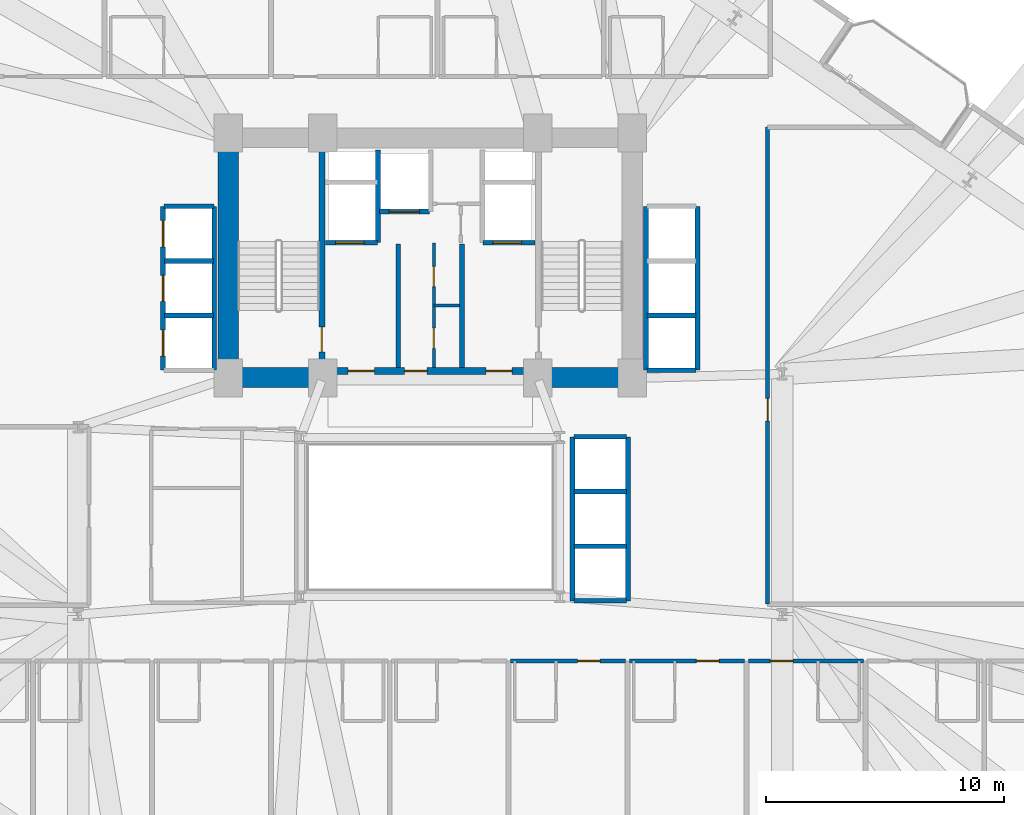
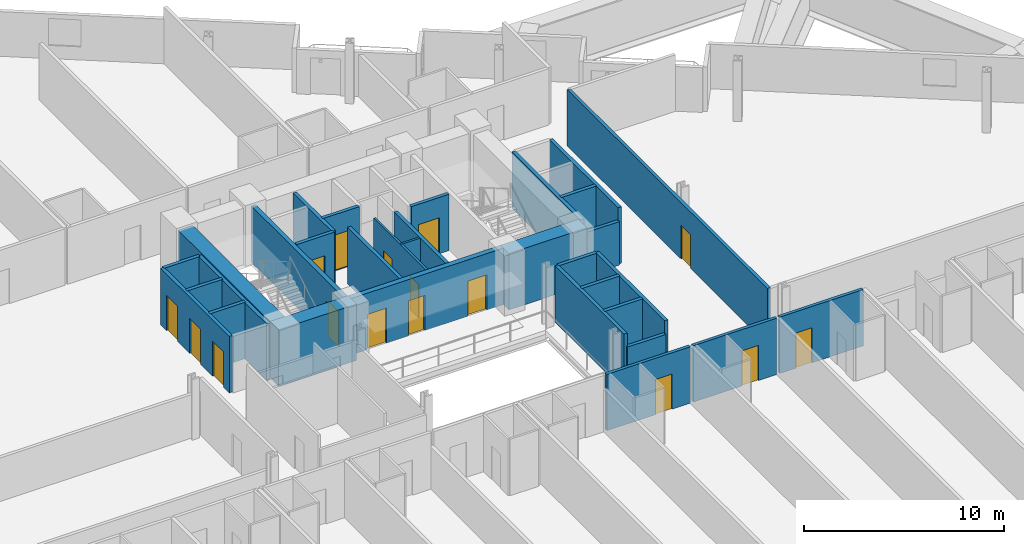
# One storey, part 20 of 26: 32 walls, 16 doors, 16 openings.
"""IFC4 building model written with IfcOpenShell, lengths in metres."""

import ifcopenshell
import ifcopenshell.guid

model = None  # the IFC model being written
_history = None  # IfcOwnerHistory: only IFC2X3 demands one
_inside = {}  # id of a spatial element -> (the spatial element, [elements in it])
_under = {}  # id of a project, library or spatial element -> (it, [spatial elements below it])
_declared = {}  # id of a project -> (the project, [libraries it declares])
_typed = {}  # id of a type object -> (the type object, [elements of that type])
_made_of = {}  # id of a material, layer set ... -> (it, [elements and type objects made of it])


def new_model(schema):
    """Start an empty IFC model of exactly this schema.

    Asked for "IFC4X3", IfcOpenShell would pick the latest addendum, in which some entities
    have other attributes; the version numbers below select the first issue.
    IFC2X3 requires an IfcOwnerHistory on every rooted entity: one is made here for all.
    """
    global model, _history
    if schema == "IFC4X3":
        model = ifcopenshell.file(schema_version=(4, 3, 0, 0))
    else:
        model = ifcopenshell.file(schema=schema)
    _inside.clear()
    _under.clear()
    _declared.clear()
    _typed.clear()
    _made_of.clear()
    _history = None
    if model.schema == "IFC2X3":
        org = make("IfcOrganization", Name="unknown")
        user = make(
            "IfcPersonAndOrganization",
            ThePerson=make("IfcPerson", FamilyName="unknown"),
            TheOrganization=org,
        )
        app = make(
            "IfcApplication",
            ApplicationDeveloper=org,
            Version="unknown",
            ApplicationFullName="unknown",
            ApplicationIdentifier="unknown",
        )
        _history = make(
            "IfcOwnerHistory",
            OwningUser=user,
            OwningApplication=app,
            ChangeAction="ADDED",
            CreationDate=0,
        )
    return model


def make(cls, **values):
    """One entity of the class cls with the attributes given. An attribute that is None is left unset."""
    return model.create_entity(
        cls, **{name: value for name, value in values.items() if value is not None}
    )


def rooted(cls, **values):
    """An entity with a GlobalId (a new one), such as an element, a storey or a relation."""
    return make(cls, GlobalId=ifcopenshell.guid.new(), OwnerHistory=_history, **values)


def si_unit(unit_type, name, prefix=None):
    """IfcSIUnit, for example si_unit("LENGTHUNIT", "METRE", prefix="MILLI")."""
    return make("IfcSIUnit", UnitType=unit_type, Prefix=prefix, Name=name)


def assignment(units):
    """IfcUnitAssignment: the units of a project."""
    return None if units is None else make("IfcUnitAssignment", Units=units)


def point(xyz):
    """IfcCartesianPoint."""
    return None if xyz is None else make("IfcCartesianPoint", Coordinates=xyz)


def direction(xyz):
    """IfcDirection."""
    return None if xyz is None else make("IfcDirection", DirectionRatios=xyz)


def frame(location, z_axis=None, x_axis=None):
    """IfcAxis2Placement3D, a coordinate frame: its origin and axes. An axis left out is left unset."""
    return make(
        "IfcAxis2Placement3D",
        Location=point(location),
        Axis=direction(z_axis),
        RefDirection=direction(x_axis),
    )


def frame_2d(location, x_axis=None):
    """IfcAxis2Placement2D, a coordinate frame in the plane: its origin and x axis."""
    return make(
        "IfcAxis2Placement2D", Location=point(location), RefDirection=direction(x_axis)
    )


def origin():
    """The frame at (0, 0, 0) with its axes left unset."""
    return frame((0.0, 0.0, 0.0))


def place(relative_to, where):
    """IfcLocalPlacement: puts the frame where relative to a parent placement (None: the world)."""
    return make(
        "IfcLocalPlacement", PlacementRelTo=relative_to, RelativePlacement=where
    )


def context(
    kind, dimensions, precision=None, world=None, true_north=None, identifier=None
):
    """IfcGeometricRepresentationContext, for example the 3D "Model" context."""
    return make(
        "IfcGeometricRepresentationContext",
        ContextIdentifier=identifier,
        ContextType=kind,
        CoordinateSpaceDimension=dimensions,
        Precision=precision,
        WorldCoordinateSystem=world,
        TrueNorth=true_north,
    )


def subcontext(parent, identifier, kind, view, scale=None):
    """IfcGeometricRepresentationSubContext, for example "Body" below "Model"."""
    return make(
        "IfcGeometricRepresentationSubContext",
        ContextIdentifier=identifier,
        ContextType=kind,
        ParentContext=parent,
        TargetScale=scale,
        TargetView=view,
    )


def project(units=None, contexts=None):
    """IfcProject with its units and contexts."""
    return rooted(
        "IfcProject",
        Name="project",
        RepresentationContexts=contexts,
        UnitsInContext=assignment(units),
    )


def spatial(cls, under=None, at=None, **own):
    """A site, building, storey or space (cls), placed at a placement, below another one or the project."""
    s = rooted(cls, ObjectPlacement=at, **own)
    if under is not None:
        _under.setdefault(under.id(), (under, []))[1].append(s)
    return s


def profile(cls, at=None, kind="AREA", **sizes):
    """A parametric profile (cls). Its sizes go by their IFC names, for example OverallWidth=200.0."""
    return make(cls, ProfileType=kind, Position=at, **sizes)


def rectangle(**sizes):
    """IfcRectangleProfileDef."""
    return profile("IfcRectangleProfileDef", **sizes)


def extrude(swept, where, along, depth):
    """IfcExtrudedAreaSolid: the profile swept, set in the frame where, extruded along a direction by depth."""
    return make(
        "IfcExtrudedAreaSolid",
        SweptArea=swept,
        Position=where,
        ExtrudedDirection=direction(along),
        Depth=depth,
    )


def shape(context_of_items, identifier, shape_type, items):
    """IfcShapeRepresentation: the items that make up one representation, for example the "Body"."""
    return make(
        "IfcShapeRepresentation",
        ContextOfItems=context_of_items,
        RepresentationIdentifier=identifier,
        RepresentationType=shape_type,
        Items=items,
    )


def material(Name=None, Category=None):
    """IfcMaterial."""
    return make("IfcMaterial", Name=Name, Category=Category)


def layer(
    of_material, thickness, ventilated=None, Name=None, Category=None, Priority=None
):
    """IfcMaterialLayer: one layer of a wall or slab, of a material (None: an air gap)."""
    return make(
        "IfcMaterialLayer",
        Material=of_material,
        LayerThickness=thickness,
        IsVentilated=ventilated,
        Name=Name,
        Category=Category,
        Priority=Priority,
    )


def layer_set(layers, Name=None):
    """IfcMaterialLayerSet."""
    return make("IfcMaterialLayerSet", MaterialLayers=layers, LayerSetName=Name)


def made_of(thing, what):
    """Note that an element or type object is made of a material, layer set ...; save() writes the relation."""
    if what is not None:
        _made_of.setdefault(what.id(), (what, []))[1].append(thing)
    return thing


def type_object(cls, material=None, **own):
    """A type object (cls), such as IfcWallType, which elements share."""
    return made_of(rooted(cls, **own), material)


def element(
    cls,
    number,
    at=None,
    inside=None,
    cuts=None,
    type_object=None,
    material=None,
    context=None,
    identifier="Body",
    shape_type=None,
    held_by="IfcProductDefinitionShape",
    body=None,
    shapes=None,
    **own,
):
    """One element of the class cls, such as IfcWall. Its Tag is "e" and its number.

    at: its placement. inside: the storey or other place that contains it. cuts: it is an
    opening in that element (IfcRelVoidsElement). A single representation is given by context,
    identifier, shape_type and body (its items); several are given by shapes. held_by: the class
    of the entity that holds the representations. save() writes the other relations.
    """
    e = rooted(cls, Tag="e%d" % number, ObjectPlacement=at, **own)
    if body is not None:
        shapes = [shape(context, identifier, shape_type, body)]
    if shapes is not None:
        e.Representation = make(held_by, Representations=shapes)
    if inside is not None:
        _inside.setdefault(inside.id(), (inside, []))[1].append(e)
    if cuts is not None:
        rooted(
            "IfcRelVoidsElement", RelatingBuildingElement=cuts, RelatedOpeningElement=e
        )
    if type_object is not None:
        _typed.setdefault(type_object.id(), (type_object, []))[1].append(e)
    return made_of(e, material)


def fill(opening, filler):
    """IfcRelFillsElement: the door or window that sits in an opening."""
    return rooted(
        "IfcRelFillsElement",
        RelatingOpeningElement=opening,
        RelatedBuildingElement=filler,
    )


def aggregate(whole, parts):
    """IfcRelAggregates: a whole, such as a stair, and the parts it consists of."""
    return rooted("IfcRelAggregates", RelatingObject=whole, RelatedObjects=parts)


def save(model, path):
    """Write the relations noted so far, then the file.

    IfcRelAggregates (storeys below a building ...), IfcRelContainedInSpatialStructure (elements
    in a storey), IfcRelDefinesByType, IfcRelAssociatesMaterial and IfcRelDeclares: one each for
    every whole, place, type object, material and project.
    """
    for whole, parts in _under.values():
        aggregate(whole, parts)
    for where, things in _inside.values():
        rooted(
            "IfcRelContainedInSpatialStructure",
            RelatedElements=things,
            RelatingStructure=where,
        )
    for kind, things in _typed.values():
        rooted("IfcRelDefinesByType", RelatedObjects=things, RelatingType=kind)
    for what, things in _made_of.values():
        rooted("IfcRelAssociatesMaterial", RelatedObjects=things, RelatingMaterial=what)
    for by, libraries in _declared.values():
        rooted("IfcRelDeclares", RelatingContext=by, RelatedDefinitions=libraries)
    model.write(path)


model = new_model("IFC4")

# Units and contexts
model_context = context("Model", 3, precision=1e-05, world=origin(), true_north=direction((0.0, 1.0)))
body_context = subcontext(model_context, "Body", "Model", "MODEL_VIEW")
ifc_project = project(units=[si_unit("LENGTHUNIT", "METRE"), si_unit("AREAUNIT", "SQUARE_METRE"), si_unit("VOLUMEUNIT", "CUBIC_METRE"), si_unit("PLANEANGLEUNIT", "RADIAN"), si_unit("MASSUNIT", "GRAM", prefix="KILO")], contexts=[model_context])

# Site, building, storey
site_placement = place(None, origin())
site = spatial("IfcSite", under=ifc_project, at=site_placement, CompositionType="ELEMENT")
building_placement = place(site_placement, origin())
building = spatial("IfcBuilding", under=site, at=building_placement, Name="Varnelok Gate Tower", CompositionType="ELEMENT")
storey_placement = place(building_placement, frame((0.0, 0.0, 27.0)))
storey = spatial("IfcBuildingStorey", under=building, at=storey_placement, Name="L05", CompositionType="ELEMENT", Elevation=27.0)

# Wall, opening, door
ifc_material_1 = material(Name="Gypsum Plasterboard Acoustic Partition", Category="gypsum")
ifc_layer_1 = layer(ifc_material_1, 0.179931640625)
ifc_layer_set_1 = layer_set([ifc_layer_1], Name="Gypsum Plasterboard Acoustic Partition")
wall_type_1 = type_object("IfcWallType", Name="PW-CORR-180", PredefinedType="PARTITIONING", material=ifc_layer_set_1)
wall_1_placement = place(storey_placement, frame((42.580078125, 16.85009765625, 0.0), z_axis=(0.0, 0.0, 1.0), x_axis=(1.0, 0.0, 0.0)))
wall_1 = element("IfcWall", 1, at=wall_1_placement, inside=storey, type_object=wall_type_1, Name="Interior Partition", PredefinedType="PARTITIONING", context=body_context, shape_type="SweptSolid", body=[
    extrude(rectangle(XDim=4.83984375, YDim=0.179931640625, at=frame_2d((2.419921875, 0.0))), origin(), (0.0, 0.0, 1.0), 3.449951171875),
])
opening_1_placement = place(wall_1_placement, frame((2.819091796875, 0.0, 0.0)))
opening_1 = element("IfcOpeningElement", 2, at=opening_1_placement, cuts=wall_1, Name="Opening D-HT", PredefinedType="OPENING", context=body_context, shape_type="SweptSolid", body=[
    extrude(rectangle(XDim=0.949951171875, YDim=2.14990234375, at=frame_2d((0.47509765625, 1.074951171875))), frame((0.0, 0.099853515625, 0.0), z_axis=(0.0, -1.0, 0.0), x_axis=(1.0, 0.0, 0.0)), (0.0, 0.0, 1.0), 0.199951171875),
])
ifc_material_2 = material(Name="Engineered Hardwood Timber", Category="wood")
door_type_1 = type_object("IfcDoorType", Name="DR-HTL-950", OperationType="NOTDEFINED", PredefinedType="DOOR", material=ifc_material_2)
door_1_placement = place(opening_1_placement, origin())
door_1 = element("IfcDoor", 3, at=door_1_placement, inside=storey, type_object=door_type_1, Name="L05 Guest Room 08 Entrance Door", OperationType="SINGLE_SWING_LEFT", OverallHeight=2.14990234375, OverallWidth=0.949951171875, PredefinedType="DOOR", context=body_context, shape_type="SweptSolid", body=[
    extrude(rectangle(XDim=0.949951171875, YDim=2.14990234375, at=frame_2d((0.47509765625, 1.074951171875))), frame((0.0, 0.02490234375, 0.0), z_axis=(0.0, -1.0, 0.0), x_axis=(1.0, 0.0, 0.0)), (0.0, 0.0, 1.0), 0.050048828125),
])
fill(opening_1, door_1)

wall_2_placement = place(storey_placement, frame((47.580078125, 16.85009765625, 0.0), z_axis=(0.0, 0.0, 1.0), x_axis=(1.0, 0.0, 0.0)))
wall_2 = element("IfcWall", 4, at=wall_2_placement, inside=storey, type_object=wall_type_1, Name="Interior Partition", PredefinedType="PARTITIONING", context=body_context, shape_type="SweptSolid", body=[
    extrude(rectangle(XDim=4.83984375, YDim=0.179931640625, at=frame_2d((2.419921875, 0.0))), origin(), (0.0, 0.0, 1.0), 3.449951171875),
])
opening_2_placement = place(wall_2_placement, frame((2.819091796875, 0.0, 0.0)))
opening_2 = element("IfcOpeningElement", 5, at=opening_2_placement, cuts=wall_2, Name="Opening D-HT", PredefinedType="OPENING", context=body_context, shape_type="SweptSolid", body=[
    extrude(rectangle(XDim=0.949951171875, YDim=2.14990234375, at=frame_2d((0.47509765625, 1.074951171875))), frame((0.0, 0.099853515625, 0.0), z_axis=(0.0, -1.0, 0.0), x_axis=(1.0, 0.0, 0.0)), (0.0, 0.0, 1.0), 0.199951171875),
])
door_2_placement = place(opening_2_placement, origin())
door_2 = element("IfcDoor", 6, at=door_2_placement, inside=storey, type_object=door_type_1, Name="L05 Guest Room 09 Entrance Door", OperationType="SINGLE_SWING_RIGHT", OverallHeight=2.14990234375, OverallWidth=0.949951171875, PredefinedType="DOOR", context=body_context, shape_type="SweptSolid", body=[
    extrude(rectangle(XDim=0.949951171875, YDim=2.14990234375, at=frame_2d((0.47509765625, 1.074951171875))), frame((0.0, 0.02490234375, 0.0), z_axis=(0.0, -1.0, 0.0), x_axis=(1.0, 0.0, 0.0)), (0.0, 0.0, 1.0), 0.050048828125),
])
fill(opening_2, door_2)

wall_3_placement = place(storey_placement, frame((52.580078125, 16.85009765625, 0.0), z_axis=(0.0, 0.0, 1.0), x_axis=(1.0, 0.0, 0.0)))
wall_3 = element("IfcWall", 7, at=wall_3_placement, inside=storey, type_object=wall_type_1, Name="Interior Partition", PredefinedType="PARTITIONING", context=body_context, shape_type="SweptSolid", body=[
    extrude(rectangle(XDim=4.83984375, YDim=0.179931640625, at=frame_2d((2.419921875, 0.0))), origin(), (0.0, 0.0, 1.0), 3.449951171875),
])
opening_3_placement = place(wall_3_placement, frame((0.92919921875, 0.0, 0.0)))
opening_3 = element("IfcOpeningElement", 8, at=opening_3_placement, cuts=wall_3, Name="Opening D-HT", PredefinedType="OPENING", context=body_context, shape_type="SweptSolid", body=[
    extrude(rectangle(XDim=0.949951171875, YDim=2.14990234375, at=frame_2d((0.47509765625, 1.074951171875))), frame((0.0, 0.099853515625, 0.0), z_axis=(0.0, -1.0, 0.0), x_axis=(1.0, 0.0, 0.0)), (0.0, 0.0, 1.0), 0.199951171875),
])
door_3_placement = place(opening_3_placement, origin())
door_3 = element("IfcDoor", 9, at=door_3_placement, inside=storey, type_object=door_type_1, Name="L05 Guest Room 10 Entrance Door", OperationType="SINGLE_SWING_LEFT", OverallHeight=2.14990234375, OverallWidth=0.949951171875, PredefinedType="DOOR", context=body_context, shape_type="SweptSolid", body=[
    extrude(rectangle(XDim=0.949951171875, YDim=2.14990234375, at=frame_2d((0.47509765625, 1.074951171875))), frame((0.0, 0.02490234375, 0.0), z_axis=(0.0, -1.0, 0.0), x_axis=(1.0, 0.0, 0.0)), (0.0, 0.0, 1.0), 0.050048828125),
])
fill(opening_3, door_3)

wall_4_placement = place(storey_placement, frame((53.389892578125, 19.239990234375, 0.0), z_axis=(0.0, 0.0, 1.0), x_axis=(0.0, 1.0, 0.0)))
wall_4 = element("IfcWall", 10, at=wall_4_placement, inside=storey, type_object=wall_type_1, Name="Interior Partition", PredefinedType="PARTITIONING", context=body_context, shape_type="SweptSolid", body=[
    extrude(rectangle(XDim=20.06005859375, YDim=0.179931640625, at=frame_2d((10.030029296875, 0.0))), origin(), (0.0, 0.0, 1.0), 3.449951171875),
])
opening_4_placement = place(wall_4_placement, frame((7.699951171875, 0.0, 0.0)))
opening_4 = element("IfcOpeningElement", 11, at=opening_4_placement, cuts=wall_4, Name="Opening D-I2", PredefinedType="OPENING", context=body_context, shape_type="SweptSolid", body=[
    extrude(rectangle(XDim=0.949951171875, YDim=2.050048828125, at=frame_2d((0.47509765625, 1.02490234375))), frame((0.0, 0.099853515625, 0.0), z_axis=(0.0, -1.0, 0.0), x_axis=(1.0, 0.0, 0.0)), (0.0, 0.0, 1.0), 0.199951171875),
])
door_type_2 = type_object("IfcDoorType", Name="DR-INT-950", OperationType="NOTDEFINED", PredefinedType="DOOR", material=ifc_material_2)
door_4_placement = place(opening_4_placement, origin())
door_4 = element("IfcDoor", 12, at=door_4_placement, inside=storey, type_object=door_type_2, Name="L05 East Club Door", OperationType="SINGLE_SWING_RIGHT", OverallHeight=2.050048828125, OverallWidth=0.949951171875, PredefinedType="DOOR", context=body_context, shape_type="SweptSolid", body=[
    extrude(rectangle(XDim=0.949951171875, YDim=2.050048828125, at=frame_2d((0.47509765625, 1.02490234375))), frame((0.0, 0.02490234375, 0.0), z_axis=(0.0, -1.0, 0.0), x_axis=(1.0, 0.0, 0.0)), (0.0, 0.0, 1.0), 0.050048828125),
])
fill(opening_4, door_4)

# Wall
ifc_layer_2 = layer(ifc_material_1, 0.125)
ifc_layer_set_2 = layer_set([ifc_layer_2], Name="Gypsum Plasterboard Acoustic Partition")
wall_type_2 = type_object("IfcWallType", Name="PW-PART-125", PredefinedType="PARTITIONING", material=ifc_layer_set_2)
wall_5_placement = place(storey_placement, frame((39.35009765625, 31.800048828125, 0.0), z_axis=(0.0, 0.0, 1.0), x_axis=(1.0, 0.0, 0.0)))
element("IfcWall", 13, at=wall_5_placement, inside=storey, type_object=wall_type_2, Name="Interior Partition", PredefinedType="PARTITIONING", context=body_context, shape_type="SweptSolid", body=[
    extrude(rectangle(XDim=1.08984375, YDim=0.125, at=frame_2d((0.544921875, 0.0))), origin(), (0.0, 0.0, 1.0), 3.449951171875),
])

# Wall, openings, doors
wall_6_placement = place(storey_placement, frame((39.35009765625, 29.199951171875, 0.0), z_axis=(0.0, 0.0, 1.0), x_axis=(0.0, 1.0, 0.0)))
wall_6 = element("IfcWall", 14, at=wall_6_placement, inside=storey, type_object=wall_type_2, Name="Interior Partition", PredefinedType="PARTITIONING", context=body_context, shape_type="SweptSolid", body=[
    extrude(rectangle(XDim=5.219970703125, YDim=0.125, at=frame_2d((2.60986328125, 0.0))), origin(), (0.0, 0.0, 1.0), 3.449951171875),
])
opening_5_placement = place(wall_6_placement, frame((0.800048828125, 0.0, 0.0)))
opening_5 = element("IfcOpeningElement", 15, at=opening_5_placement, cuts=wall_6, Name="Opening D-RS", PredefinedType="OPENING", context=body_context, shape_type="SweptSolid", body=[
    extrude(rectangle(XDim=0.85009765625, YDim=2.050048828125, at=frame_2d((0.425048828125, 1.02490234375))), frame((0.0, 0.072509765625, 0.0), z_axis=(0.0, -1.0, 0.0), x_axis=(1.0, 0.0, 0.0)), (0.0, 0.0, 1.0), 0.14501953125),
])
opening_6_placement = place(wall_6_placement, frame((3.39990234375, 0.0, 0.0)))
opening_6 = element("IfcOpeningElement", 16, at=opening_6_placement, cuts=wall_6, Name="Opening D-RS", PredefinedType="OPENING", context=body_context, shape_type="SweptSolid", body=[
    extrude(rectangle(XDim=0.85009765625, YDim=2.050048828125, at=frame_2d((0.425048828125, 1.02490234375))), frame((0.0, 0.072509765625, 0.0), z_axis=(0.0, -1.0, 0.0), x_axis=(1.0, 0.0, 0.0)), (0.0, 0.0, 1.0), 0.14501953125),
])
ifc_material_3 = material(Name="Galvanized Steel Grade S350GD", Category="steel")
door_type_3 = type_object("IfcDoorType", Name="DR-RISER-850", OperationType="NOTDEFINED", PredefinedType="DOOR", material=ifc_material_3)
door_5_placement = place(opening_5_placement, origin())
door_5 = element("IfcDoor", 17, at=door_5_placement, inside=storey, type_object=door_type_3, Name="L05 Housekeeping Linen Door", OperationType="SINGLE_SWING_RIGHT", OverallHeight=2.050048828125, OverallWidth=0.85009765625, PredefinedType="DOOR", context=body_context, shape_type="SweptSolid", body=[
    extrude(rectangle(XDim=0.85009765625, YDim=2.050048828125, at=frame_2d((0.425048828125, 1.02490234375))), frame((0.0, 0.02490234375, 0.0), z_axis=(0.0, -1.0, 0.0), x_axis=(1.0, 0.0, 0.0)), (0.0, 0.0, 1.0), 0.050048828125),
])
fill(opening_5, door_5)
door_6_placement = place(opening_6_placement, origin())
door_6 = element("IfcDoor", 18, at=door_6_placement, inside=storey, type_object=door_type_3, Name="L05 Core Supply Door", OperationType="SINGLE_SWING_LEFT", OverallHeight=2.050048828125, OverallWidth=0.85009765625, PredefinedType="DOOR", context=body_context, shape_type="SweptSolid", body=[
    extrude(rectangle(XDim=0.85009765625, YDim=2.050048828125, at=frame_2d((0.425048828125, 1.02490234375))), frame((0.0, 0.02490234375, 0.0), z_axis=(0.0, -1.0, 0.0), x_axis=(1.0, 0.0, 0.0)), (0.0, 0.0, 1.0), 0.050048828125),
])
fill(opening_6, door_6)

# Walls
ifc_material_4 = material(Name="Concrete C35/45", Category="concrete")
ifc_layer_3 = layer(ifc_material_4, 0.199951171875)
ifc_layer_set_3 = layer_set([ifc_layer_3], Name="Concrete C35/45")
wall_type_3 = type_object("IfcWallType", Name="PW-SHAFT-200", PredefinedType="PARTITIONING", material=ifc_layer_set_3)
for number, where, z_axis, x_axis, name in (
    (19, (37.860107421875, 29.199951171875, 0.0), (0.0, 0.0, 1.0), (0.0, 1.0, 0.0), "L05 West FF Lobby Rated Wall"),
    (20, (40.5400390625, 29.199951171875, 0.0), (0.0, 0.0, 1.0), (0.0, 1.0, 0.0), "L05 East FF Lobby Rated Wall"),
):
    element("IfcWall", number, at=place(storey_placement, frame(where, z_axis=z_axis, x_axis=x_axis)), inside=storey, type_object=wall_type_3, Name=name, PredefinedType="PARTITIONING", context=body_context, shape_type="SweptSolid", body=[
        extrude(rectangle(XDim=5.179931640625, YDim=0.199951171875, at=frame_2d((2.58984375, 0.0))), origin(), (0.0, 0.0, 1.0), 3.449951171875),
    ])

# Wall, opening, door
wall_7_placement = place(storey_placement, frame((34.800048828125, 34.43994140625, 0.0), z_axis=(0.0, 0.0, 1.0), x_axis=(1.0, 0.0, 0.0)))
wall_7 = element("IfcWall", 21, at=wall_7_placement, inside=storey, type_object=wall_type_3, Name="L05 FF1 Shaft Front Wall", PredefinedType="PARTITIONING", context=body_context, shape_type="SweptSolid", body=[
    extrude(rectangle(XDim=2.179931640625, YDim=0.199951171875, at=frame_2d((1.08984375, 0.0))), origin(), (0.0, 0.0, 1.0), 3.449951171875),
])
opening_7_placement = place(wall_7_placement, frame((0.419921875, 0.0, 0.0)))
opening_7 = element("IfcOpeningElement", 22, at=opening_7_placement, cuts=wall_7, Name="Opening LD-FF1", PredefinedType="OPENING", context=body_context, shape_type="SweptSolid", body=[
    extrude(rectangle(XDim=1.199951171875, YDim=2.199951171875, at=frame_2d((0.60009765625, 1.10009765625))), frame((0.0, 0.10986328125, 0.0), z_axis=(0.0, -1.0, 0.0), x_axis=(1.0, 0.0, 0.0)), (0.0, 0.0, 1.0), 0.219970703125),
])
door_type_4 = type_object("IfcDoorType", Name="DR-LIFT-FF1200", OperationType="SLIDING_TO_LEFT", PredefinedType="DOOR", material=ifc_material_3)
door_7_placement = place(opening_7_placement, origin())
door_7 = element("IfcDoor", 23, at=door_7_placement, inside=storey, type_object=door_type_4, Name="L05 Firefighting Lift Landing Door LD-FF1", OperationType="SLIDING_TO_LEFT", OverallHeight=2.199951171875, OverallWidth=1.199951171875, PredefinedType="DOOR", context=body_context, shape_type="SweptSolid", body=[
    extrude(rectangle(XDim=1.199951171875, YDim=2.199951171875, at=frame_2d((0.60009765625, 1.10009765625))), frame((0.0, 0.02490234375, 0.0), z_axis=(0.0, -1.0, 0.0), x_axis=(1.0, 0.0, 0.0)), (0.0, 0.0, 1.0), 0.050048828125),
])
fill(opening_7, door_7)

# Wall
wall_8_placement = place(storey_placement, frame((37.0, 34.43994140625, 0.0), z_axis=(0.0, 0.0, 1.0), x_axis=(0.0, 1.0, 0.0)))
element("IfcWall", 24, at=wall_8_placement, inside=storey, type_object=wall_type_3, Name="L05 FF1 Shaft Side Wall", PredefinedType="PARTITIONING", context=body_context, shape_type="SweptSolid", body=[
    extrude(rectangle(XDim=3.900146484375, YDim=0.199951171875, at=frame_2d((1.9501953125, 0.0))), origin(), (0.0, 0.0, 1.0), 3.449951171875),
])

# Wall, opening, door
wall_9_placement = place(storey_placement, frame((41.419921875, 34.43994140625, 0.0), z_axis=(0.0, 0.0, 1.0), x_axis=(1.0, 0.0, 0.0)))
wall_9 = element("IfcWall", 25, at=wall_9_placement, inside=storey, type_object=wall_type_3, Name="L05 FF2 Shaft Front Wall", PredefinedType="PARTITIONING", context=body_context, shape_type="SweptSolid", body=[
    extrude(rectangle(XDim=2.18017578125, YDim=0.199951171875, at=frame_2d((1.090087890625, 0.0))), origin(), (0.0, 0.0, 1.0), 3.449951171875),
])
opening_8_placement = place(wall_9_placement, frame((0.419921875, 0.0, 0.0)))
opening_8 = element("IfcOpeningElement", 26, at=opening_8_placement, cuts=wall_9, Name="Opening LD-FF2", PredefinedType="OPENING", context=body_context, shape_type="SweptSolid", body=[
    extrude(rectangle(XDim=1.199951171875, YDim=2.199951171875, at=frame_2d((0.60009765625, 1.10009765625))), frame((0.0, 0.10986328125, 0.0), z_axis=(0.0, -1.0, 0.0), x_axis=(1.0, 0.0, 0.0)), (0.0, 0.0, 1.0), 0.219970703125),
])
door_8_placement = place(opening_8_placement, origin())
door_8 = element("IfcDoor", 27, at=door_8_placement, inside=storey, type_object=door_type_4, Name="L05 Firefighting Lift Landing Door LD-FF2", OperationType="SLIDING_TO_LEFT", OverallHeight=2.199951171875, OverallWidth=1.199951171875, PredefinedType="DOOR", context=body_context, shape_type="SweptSolid", body=[
    extrude(rectangle(XDim=1.199951171875, YDim=2.199951171875, at=frame_2d((0.60009765625, 1.10009765625))), frame((0.0, 0.02490234375, 0.0), z_axis=(0.0, -1.0, 0.0), x_axis=(1.0, 0.0, 0.0)), (0.0, 0.0, 1.0), 0.050048828125),
])
fill(opening_8, door_8)

wall_10_placement = place(storey_placement, frame((37.06005859375, 35.75, 0.0), z_axis=(0.0, 0.0, 1.0), x_axis=(1.0, 0.0, 0.0)))
wall_10 = element("IfcWall", 28, at=wall_10_placement, inside=storey, type_object=wall_type_3, Name="L05 SV1 Shaft Front Wall", PredefinedType="PARTITIONING", context=body_context, shape_type="SweptSolid", body=[
    extrude(rectangle(XDim=2.119873046875, YDim=0.199951171875, at=frame_2d((1.06005859375, 0.0))), origin(), (0.0, 0.0, 1.0), 3.449951171875),
])
opening_9_placement = place(wall_10_placement, frame((0.39990234375, 0.0, 0.0)))
opening_9 = element("IfcOpeningElement", 29, at=opening_9_placement, cuts=wall_10, Name="Opening LD-SV1", PredefinedType="OPENING", context=body_context, shape_type="SweptSolid", body=[
    extrude(rectangle(XDim=1.300048828125, YDim=2.199951171875, at=frame_2d((0.64990234375, 1.10009765625))), frame((0.0, 0.10986328125, 0.0), z_axis=(0.0, -1.0, 0.0), x_axis=(1.0, 0.0, 0.0)), (0.0, 0.0, 1.0), 0.219970703125),
])
door_type_5 = type_object("IfcDoorType", Name="DR-LIFT-SV1300", OperationType="SLIDING_TO_LEFT", PredefinedType="DOOR", material=ifc_material_3)
door_9_placement = place(opening_9_placement, origin())
door_9 = element("IfcDoor", 30, at=door_9_placement, inside=storey, type_object=door_type_5, Name="L05 Service Lift Landing Door LD-SV1", OperationType="SLIDING_TO_LEFT", OverallHeight=2.199951171875, OverallWidth=1.300048828125, PredefinedType="DOOR", context=body_context, shape_type="SweptSolid", body=[
    extrude(rectangle(XDim=1.300048828125, YDim=2.199951171875, at=frame_2d((0.64990234375, 1.10009765625))), frame((0.0, 0.02490234375, 0.0), z_axis=(0.0, -1.0, 0.0), x_axis=(1.0, 0.0, 0.0)), (0.0, 0.0, 1.0), 0.050048828125),
])
fill(opening_9, door_9)

# Walls
for number, where, z_axis, x_axis, name in (
    (31, (28.02001953125, 31.375, 0.0), (0.0, 0.0, 1.0), (1.0, 0.0, 0.0), "L05 PL1 Divider"),
    (32, (28.02001953125, 33.675048828125, 0.0), (0.0, 0.0, 1.0), (1.0, 0.0, 0.0), "L05 PL2 Divider"),
):
    element("IfcWall", number, at=place(storey_placement, frame(where, z_axis=z_axis, x_axis=x_axis)), inside=storey, type_object=wall_type_3, Name=name, PredefinedType="PARTITIONING", context=body_context, shape_type="SweptSolid", body=[
        extrude(rectangle(XDim=2.06005859375, YDim=0.199951171875, at=frame_2d((1.030029296875, 0.0))), origin(), (0.0, 0.0, 1.0), 3.449951171875),
    ])
wall_11_placement = place(storey_placement, frame((28.0, 35.969970703125, 0.0), z_axis=(0.0, 0.0, 1.0), x_axis=(1.0, 0.0, 0.0)))
element("IfcWall", 33, at=wall_11_placement, inside=storey, type_object=wall_type_3, Name="L05 PL Bank North Wall", PredefinedType="PARTITIONING", context=body_context, shape_type="SweptSolid", body=[
    extrude(rectangle(XDim=2.10009765625, YDim=0.199951171875, at=frame_2d((1.050048828125, 0.0))), origin(), (0.0, 0.0, 1.0), 3.449951171875),
])
wall_12_placement = place(storey_placement, frame((30.1201171875, 29.080078125, 0.0), z_axis=(0.0, 0.0, 1.0), x_axis=(0.0, 1.0, 0.0)))
element("IfcWall", 34, at=wall_12_placement, inside=storey, type_object=wall_type_3, Name="L05 PL Bank Back Wall", PredefinedType="PARTITIONING", context=body_context, shape_type="SweptSolid", body=[
    extrude(rectangle(XDim=6.889892578125, YDim=0.199951171875, at=frame_2d((3.44482421875, 0.0))), origin(), (0.0, 0.0, 1.0), 3.449951171875),
])

# Wall, openings, doors
wall_13_placement = place(storey_placement, frame((27.9599609375, 29.080078125, 0.0), z_axis=(0.0, 0.0, 1.0), x_axis=(0.0, 1.0, 0.0)))
wall_13 = element("IfcWall", 35, at=wall_13_placement, inside=storey, type_object=wall_type_3, Name="L05 PL Bank Front Wall", PredefinedType="PARTITIONING", context=body_context, shape_type="SweptSolid", body=[
    extrude(rectangle(XDim=6.889892578125, YDim=0.199951171875, at=frame_2d((3.44482421875, 0.0))), origin(), (0.0, 0.0, 1.0), 3.449951171875),
])
opening_10_placement = place(wall_13_placement, frame((0.590087890625, 0.0, 0.0)))
opening_10 = element("IfcOpeningElement", 36, at=opening_10_placement, cuts=wall_13, Name="Opening LD-PL1", PredefinedType="OPENING", context=body_context, shape_type="SweptSolid", body=[
    extrude(rectangle(XDim=1.10009765625, YDim=2.14990234375, at=frame_2d((0.550048828125, 1.074951171875))), frame((0.0, 0.10986328125, 0.0), z_axis=(0.0, -1.0, 0.0), x_axis=(1.0, 0.0, 0.0)), (0.0, 0.0, 1.0), 0.219970703125),
])
opening_11_placement = place(wall_13_placement, frame((2.889892578125, 0.0, 0.0)))
opening_11 = element("IfcOpeningElement", 37, at=opening_11_placement, cuts=wall_13, Name="Opening LD-PL2", PredefinedType="OPENING", context=body_context, shape_type="SweptSolid", body=[
    extrude(rectangle(XDim=1.10009765625, YDim=2.14990234375, at=frame_2d((0.550048828125, 1.074951171875))), frame((0.0, 0.10986328125, 0.0), z_axis=(0.0, -1.0, 0.0), x_axis=(1.0, 0.0, 0.0)), (0.0, 0.0, 1.0), 0.219970703125),
])
opening_12_placement = place(wall_13_placement, frame((5.18994140625, 0.0, 0.0)))
opening_12 = element("IfcOpeningElement", 38, at=opening_12_placement, cuts=wall_13, Name="Opening LD-PL3", PredefinedType="OPENING", context=body_context, shape_type="SweptSolid", body=[
    extrude(rectangle(XDim=1.10009765625, YDim=2.14990234375, at=frame_2d((0.550048828125, 1.074951171875))), frame((0.0, 0.10986328125, 0.0), z_axis=(0.0, -1.0, 0.0), x_axis=(1.0, 0.0, 0.0)), (0.0, 0.0, 1.0), 0.219970703125),
])
door_type_6 = type_object("IfcDoorType", Name="DR-LIFT-PAX1100", OperationType="SLIDING_TO_LEFT", PredefinedType="DOOR", material=ifc_material_3)
door_10_placement = place(opening_10_placement, origin())
door_10 = element("IfcDoor", 39, at=door_10_placement, inside=storey, type_object=door_type_6, Name="L05 Passenger Lift Landing Door LD-PL1", OperationType="SLIDING_TO_LEFT", OverallHeight=2.14990234375, OverallWidth=1.10009765625, PredefinedType="DOOR", context=body_context, shape_type="SweptSolid", body=[
    extrude(rectangle(XDim=1.10009765625, YDim=2.14990234375, at=frame_2d((0.550048828125, 1.074951171875))), frame((0.0, 0.02490234375, 0.0), z_axis=(0.0, -1.0, 0.0), x_axis=(1.0, 0.0, 0.0)), (0.0, 0.0, 1.0), 0.050048828125),
])
fill(opening_10, door_10)
door_11_placement = place(opening_11_placement, origin())
door_11 = element("IfcDoor", 40, at=door_11_placement, inside=storey, type_object=door_type_6, Name="L05 Passenger Lift Landing Door LD-PL2", OperationType="SLIDING_TO_LEFT", OverallHeight=2.14990234375, OverallWidth=1.10009765625, PredefinedType="DOOR", context=body_context, shape_type="SweptSolid", body=[
    extrude(rectangle(XDim=1.10009765625, YDim=2.14990234375, at=frame_2d((0.550048828125, 1.074951171875))), frame((0.0, 0.02490234375, 0.0), z_axis=(0.0, -1.0, 0.0), x_axis=(1.0, 0.0, 0.0)), (0.0, 0.0, 1.0), 0.050048828125),
])
fill(opening_11, door_11)
door_12_placement = place(opening_12_placement, origin())
door_12 = element("IfcDoor", 41, at=door_12_placement, inside=storey, type_object=door_type_6, Name="L05 Passenger Lift Landing Door LD-PL3", OperationType="SLIDING_TO_LEFT", OverallHeight=2.14990234375, OverallWidth=1.10009765625, PredefinedType="DOOR", context=body_context, shape_type="SweptSolid", body=[
    extrude(rectangle(XDim=1.10009765625, YDim=2.14990234375, at=frame_2d((0.550048828125, 1.074951171875))), frame((0.0, 0.02490234375, 0.0), z_axis=(0.0, -1.0, 0.0), x_axis=(1.0, 0.0, 0.0)), (0.0, 0.0, 1.0), 0.050048828125),
])
fill(opening_12, door_12)

# Walls
wall_14_placement = place(storey_placement, frame((48.320068359375, 31.375, 0.0), z_axis=(0.0, 0.0, 1.0), x_axis=(1.0, 0.0, 0.0)))
element("IfcWall", 42, at=wall_14_placement, inside=storey, type_object=wall_type_3, Name="L05 PM1 Divider", PredefinedType="PARTITIONING", context=body_context, shape_type="SweptSolid", body=[
    extrude(rectangle(XDim=2.059814453125, YDim=0.199951171875, at=frame_2d((1.02978515625, 0.0))), origin(), (0.0, 0.0, 1.0), 3.449951171875),
])
wall_15_placement = place(storey_placement, frame((48.320068359375, 29.080078125, 0.0), z_axis=(0.0, 0.0, 1.0), x_axis=(1.0, 0.0, 0.0)))
element("IfcWall", 43, at=wall_15_placement, inside=storey, type_object=wall_type_3, Name="L05 PM Bank South Wall", PredefinedType="PARTITIONING", context=body_context, shape_type="SweptSolid", body=[
    extrude(rectangle(XDim=2.059814453125, YDim=0.199951171875, at=frame_2d((1.02978515625, 0.0))), origin(), (0.0, 0.0, 1.0), 2.662109375),
])
for number, where, z_axis, x_axis, name in (
    (44, (48.280029296875, 29.080078125, 0.0), (0.0, 0.0, 1.0), (0.0, 1.0, 0.0), "L05 PM Bank Back Wall"),
    (45, (50.43994140625, 29.080078125, 0.0), (0.0, 0.0, 1.0), (0.0, 1.0, 0.0), "L05 PM Bank Front Wall"),
):
    element("IfcWall", number, at=place(storey_placement, frame(where, z_axis=z_axis, x_axis=x_axis)), inside=storey, type_object=wall_type_3, Name=name, PredefinedType="PARTITIONING", context=body_context, shape_type="SweptSolid", body=[
        extrude(rectangle(XDim=6.889892578125, YDim=0.199951171875, at=frame_2d((3.44482421875, 0.0))), origin(), (0.0, 0.0, 1.0), 3.449951171875),
    ])
for number, where, z_axis, x_axis, name in (
    (46, (45.239990234375, 21.675048828125, 0.0), (0.0, 0.0, 1.0), (1.0, 0.0, 0.0), "L05 PH1 Divider"),
    (47, (45.239990234375, 23.97509765625, 0.0), (0.0, 0.0, 1.0), (1.0, 0.0, 0.0), "L05 PH2 Divider"),
):
    element("IfcWall", number, at=place(storey_placement, frame(where, z_axis=z_axis, x_axis=x_axis)), inside=storey, type_object=wall_type_3, Name=name, PredefinedType="PARTITIONING", context=body_context, shape_type="SweptSolid", body=[
        extrude(rectangle(XDim=2.219970703125, YDim=0.199951171875, at=frame_2d((1.10986328125, 0.0))), origin(), (0.0, 0.0, 1.0), 3.449951171875),
    ])
wall_16_placement = place(storey_placement, frame((45.239990234375, 19.3798828125, 0.0), z_axis=(0.0, 0.0, 1.0), x_axis=(1.0, 0.0, 0.0)))
element("IfcWall", 48, at=wall_16_placement, inside=storey, type_object=wall_type_3, Name="L05 PH Bank South Wall", PredefinedType="PARTITIONING", context=body_context, shape_type="SweptSolid", body=[
    extrude(rectangle(XDim=2.219970703125, YDim=0.199951171875, at=frame_2d((1.10986328125, 0.0))), origin(), (0.0, 0.0, 1.0), 2.662109375),
])
wall_17_placement = place(storey_placement, frame((45.239990234375, 26.280029296875, 0.0), z_axis=(0.0, 0.0, 1.0), x_axis=(1.0, 0.0, 0.0)))
element("IfcWall", 49, at=wall_17_placement, inside=storey, type_object=wall_type_3, Name="L05 PH Bank North Wall", PredefinedType="PARTITIONING", context=body_context, shape_type="SweptSolid", body=[
    extrude(rectangle(XDim=2.219970703125, YDim=0.199951171875, at=frame_2d((1.10986328125, 0.0))), origin(), (0.0, 0.0, 1.0), 3.449951171875),
])
for number, where, z_axis, x_axis, name in (
    (50, (45.179931640625, 19.3798828125, 0.0), (0.0, 0.0, 1.0), (0.0, 1.0, 0.0), "L05 PH Bank Atrium Wall"),
    (51, (47.52001953125, 19.3798828125, 0.0), (0.0, 0.0, 1.0), (0.0, 1.0, 0.0), "L05 PH Bank Front Wall"),
):
    element("IfcWall", number, at=place(storey_placement, frame(where, z_axis=z_axis, x_axis=x_axis)), inside=storey, type_object=wall_type_3, Name=name, PredefinedType="PARTITIONING", context=body_context, shape_type="SweptSolid", body=[
        extrude(rectangle(XDim=6.900146484375, YDim=0.199951171875, at=frame_2d((3.4501953125, 0.0))), origin(), (0.0, 0.0, 1.0), 3.449951171875),
    ])
ifc_material_5 = material(Name="Concrete C70/85", Category="concrete")
ifc_layer_4 = layer(ifc_material_5, 0.85009765625)
ifc_layer_set_4 = layer_set([ifc_layer_4], Name="Concrete C70/85")
wall_type_4 = type_object("IfcWallType", Name="SW-CORE-850", PredefinedType="SHEAR", material=ifc_layer_set_4)
wall_18_placement = place(storey_placement, frame((30.705078125, 29.199951171875, 0.0), z_axis=(0.0, 0.0, 1.0), x_axis=(0.0, 1.0, 0.0)))
element("IfcWall", 52, at=wall_18_placement, inside=storey, type_object=wall_type_4, Name="L05 Rear Core West Shear Wall", PredefinedType="SHEAR", context=body_context, shape_type="SweptSolid", body=[
    extrude(rectangle(XDim=9.219970703125, YDim=0.85009765625, at=frame_2d((4.60986328125, 0.0))), origin(), (0.0, 0.0, 1.0), 3.449951171875),
])
for number, where, z_axis, x_axis, name in (
    (53, (30.280029296875, 28.77490234375, 0.0), (0.0, 0.0, 1.0), (1.0, 0.0, 0.0), "L05 Rear Core South-West Shear Wall"),
    (54, (43.60009765625, 28.77490234375, 0.0), (0.0, 0.0, 1.0), (1.0, 0.0, 0.0), "L05 Rear Core South-East Shear Wall"),
):
    element("IfcWall", number, at=place(storey_placement, frame(where, z_axis=z_axis, x_axis=x_axis)), inside=storey, type_object=wall_type_4, Name=name, PredefinedType="SHEAR", context=body_context, shape_type="SweptSolid", body=[
        extrude(rectangle(XDim=4.52001953125, YDim=0.85009765625, at=frame_2d((2.260009765625, 0.0))), origin(), (0.0, 0.0, 1.0), 3.449951171875),
    ])

# Wall, opening, door
ifc_material_6 = material(Name="Concrete C60/75", Category="concrete")
ifc_layer_5 = layer(ifc_material_6, 0.25)
ifc_layer_set_5 = layer_set([ifc_layer_5], Name="Concrete C60/75")
wall_type_5 = type_object("IfcWallType", Name="SW-SHAFT-250", PredefinedType="SHEAR", material=ifc_layer_set_5)
wall_19_placement = place(storey_placement, frame((34.639892578125, 29.199951171875, 0.0), z_axis=(0.0, 0.0, 1.0), x_axis=(0.0, 1.0, 0.0)))
wall_19 = element("IfcWall", 55, at=wall_19_placement, inside=storey, type_object=wall_type_5, Name="L05 Stair ST-1 East Shear Wall", PredefinedType="SHEAR", context=body_context, shape_type="SweptSolid", body=[
    extrude(rectangle(XDim=9.219970703125, YDim=0.25, at=frame_2d((4.60986328125, 0.0))), origin(), (0.0, 0.0, 1.0), 3.449951171875),
])
opening_13_placement = place(wall_19_placement, frame((0.64990234375, 0.0, 0.0)))
opening_13 = element("IfcOpeningElement", 56, at=opening_13_placement, cuts=wall_19, Name="Opening D-ST", PredefinedType="OPENING", context=body_context, shape_type="SweptSolid", body=[
    extrude(rectangle(XDim=1.050048828125, YDim=2.14990234375, at=frame_2d((0.52490234375, 1.074951171875))), frame((0.0, 0.135009765625, 0.0), z_axis=(0.0, -1.0, 0.0), x_axis=(1.0, 0.0, 0.0)), (0.0, 0.0, 1.0), 0.27001953125),
])
door_type_7 = type_object("IfcDoorType", Name="DR-STAIR-1050", OperationType="NOTDEFINED", PredefinedType="DOOR", material=ifc_material_3)
door_13_placement = place(opening_13_placement, origin())
door_13 = element("IfcDoor", 57, at=door_13_placement, inside=storey, type_object=door_type_7, Name="L05 Exit Stair ST-1 Fire Door", OperationType="SINGLE_SWING_LEFT", OverallHeight=2.14990234375, OverallWidth=1.050048828125, PredefinedType="DOOR", context=body_context, shape_type="SweptSolid", body=[
    extrude(rectangle(XDim=1.050048828125, YDim=2.14990234375, at=frame_2d((0.52490234375, 1.074951171875))), frame((0.0, 0.02490234375, 0.0), z_axis=(0.0, -1.0, 0.0), x_axis=(1.0, 0.0, 0.0)), (0.0, 0.0, 1.0), 0.050048828125),
])
fill(opening_13, door_13)

# Wall, openings, doors
ifc_layer_6 = layer(ifc_material_6, 0.300048828125)
ifc_layer_set_6 = layer_set([ifc_layer_6], Name="Concrete C60/75")
wall_type_6 = type_object("IfcWallType", Name="SW-SHAFT-300", PredefinedType="SHEAR", material=ifc_layer_set_6)
wall_20_placement = place(storey_placement, frame((34.800048828125, 29.050048828125, 0.0), z_axis=(0.0, 0.0, 1.0), x_axis=(1.0, 0.0, 0.0)))
wall_20 = element("IfcWall", 58, at=wall_20_placement, inside=storey, type_object=wall_type_6, Name="L05 Rear Core Central Lobby Shear Wall", PredefinedType="SHEAR", context=body_context, shape_type="SweptSolid", body=[
    extrude(rectangle(XDim=8.800048828125, YDim=0.300048828125, at=frame_2d((4.39990234375, 0.0))), origin(), (0.0, 0.0, 1.0), 3.449951171875),
])
opening_14_placement = place(wall_20_placement, frame((0.949951171875, 0.0, 0.0)))
opening_14 = element("IfcOpeningElement", 59, at=opening_14_placement, cuts=wall_20, Name="Opening D-FF", PredefinedType="OPENING", context=body_context, shape_type="SweptSolid", body=[
    extrude(rectangle(XDim=1.10009765625, YDim=2.14990234375, at=frame_2d((0.550048828125, 1.074951171875))), frame((0.0, 0.159912109375, 0.0), z_axis=(0.0, -1.0, 0.0), x_axis=(1.0, 0.0, 0.0)), (0.0, 0.0, 1.0), 0.320068359375),
])
opening_15_placement = place(wall_20_placement, frame((6.75, 0.0, 0.0)))
opening_15 = element("IfcOpeningElement", 60, at=opening_15_placement, cuts=wall_20, Name="Opening D-FF", PredefinedType="OPENING", context=body_context, shape_type="SweptSolid", body=[
    extrude(rectangle(XDim=1.10009765625, YDim=2.14990234375, at=frame_2d((0.550048828125, 1.074951171875))), frame((0.0, 0.159912109375, 0.0), z_axis=(0.0, -1.0, 0.0), x_axis=(1.0, 0.0, 0.0)), (0.0, 0.0, 1.0), 0.320068359375),
])
opening_16_placement = place(wall_20_placement, frame((3.320068359375, 0.0, 0.0)))
opening_16 = element("IfcOpeningElement", 61, at=opening_16_placement, cuts=wall_20, Name="Opening D-CR", PredefinedType="OPENING", context=body_context, shape_type="SweptSolid", body=[
    extrude(rectangle(XDim=0.949951171875, YDim=2.14990234375, at=frame_2d((0.47509765625, 1.074951171875))), frame((0.0, 0.159912109375, 0.0), z_axis=(0.0, -1.0, 0.0), x_axis=(1.0, 0.0, 0.0)), (0.0, 0.0, 1.0), 0.320068359375),
])
door_type_8 = type_object("IfcDoorType", Name="DR-CORR-950", OperationType="NOTDEFINED", PredefinedType="DOOR", material=ifc_material_3)
door_14_placement = place(opening_16_placement, origin())
door_14 = element("IfcDoor", 62, at=door_14_placement, inside=storey, type_object=door_type_8, Name="L05 Core Service Passage Door", OperationType="SINGLE_SWING_LEFT", OverallHeight=2.14990234375, OverallWidth=0.949951171875, PredefinedType="DOOR", context=body_context, shape_type="SweptSolid", body=[
    extrude(rectangle(XDim=0.949951171875, YDim=2.14990234375, at=frame_2d((0.47509765625, 1.074951171875))), frame((0.0, 0.02490234375, 0.0), z_axis=(0.0, -1.0, 0.0), x_axis=(1.0, 0.0, 0.0)), (0.0, 0.0, 1.0), 0.050048828125),
])
fill(opening_16, door_14)
door_type_9 = type_object("IfcDoorType", Name="DR-FFLOB-1100", OperationType="NOTDEFINED", PredefinedType="DOOR", material=ifc_material_3)
door_15_placement = place(opening_14_placement, origin())
door_15 = element("IfcDoor", 63, at=door_15_placement, inside=storey, type_object=door_type_9, Name="L05 West Firefighting Lobby Fire Door", OperationType="SINGLE_SWING_RIGHT", OverallHeight=2.14990234375, OverallWidth=1.10009765625, PredefinedType="DOOR", context=body_context, shape_type="SweptSolid", body=[
    extrude(rectangle(XDim=1.10009765625, YDim=2.14990234375, at=frame_2d((0.550048828125, 1.074951171875))), frame((0.0, 0.02490234375, 0.0), z_axis=(0.0, -1.0, 0.0), x_axis=(1.0, 0.0, 0.0)), (0.0, 0.0, 1.0), 0.050048828125),
])
fill(opening_14, door_15)
door_16_placement = place(opening_15_placement, origin())
door_16 = element("IfcDoor", 64, at=door_16_placement, inside=storey, type_object=door_type_9, Name="L05 East Firefighting Lobby Fire Door", OperationType="SINGLE_SWING_LEFT", OverallHeight=2.14990234375, OverallWidth=1.10009765625, PredefinedType="DOOR", context=body_context, shape_type="SweptSolid", body=[
    extrude(rectangle(XDim=1.10009765625, YDim=2.14990234375, at=frame_2d((0.550048828125, 1.074951171875))), frame((0.0, 0.02490234375, 0.0), z_axis=(0.0, -1.0, 0.0), x_axis=(1.0, 0.0, 0.0)), (0.0, 0.0, 1.0), 0.050048828125),
])
fill(opening_15, door_16)

save(model, "model.ifc")
